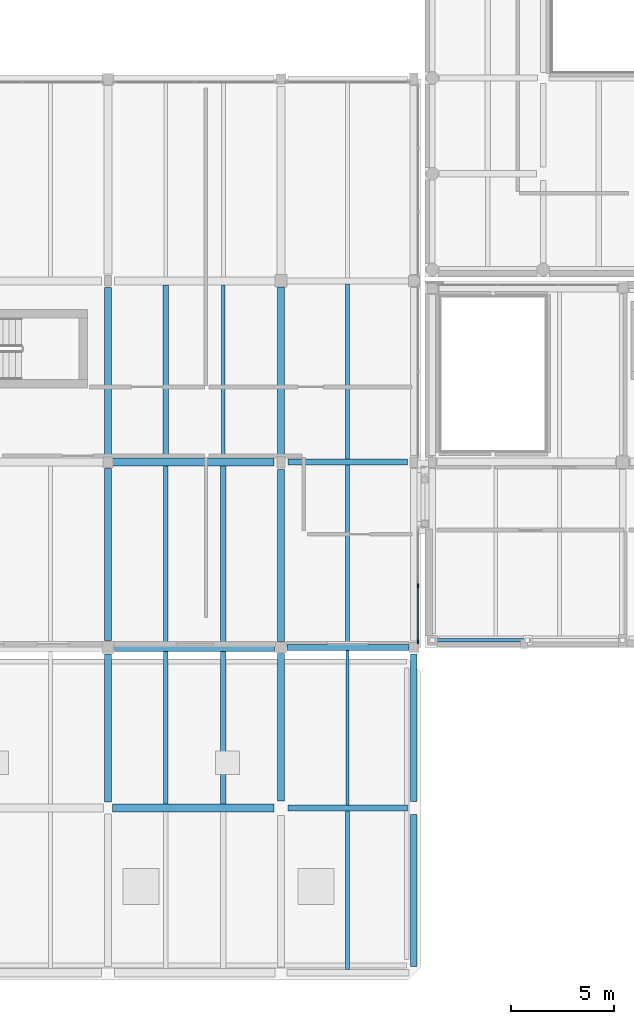
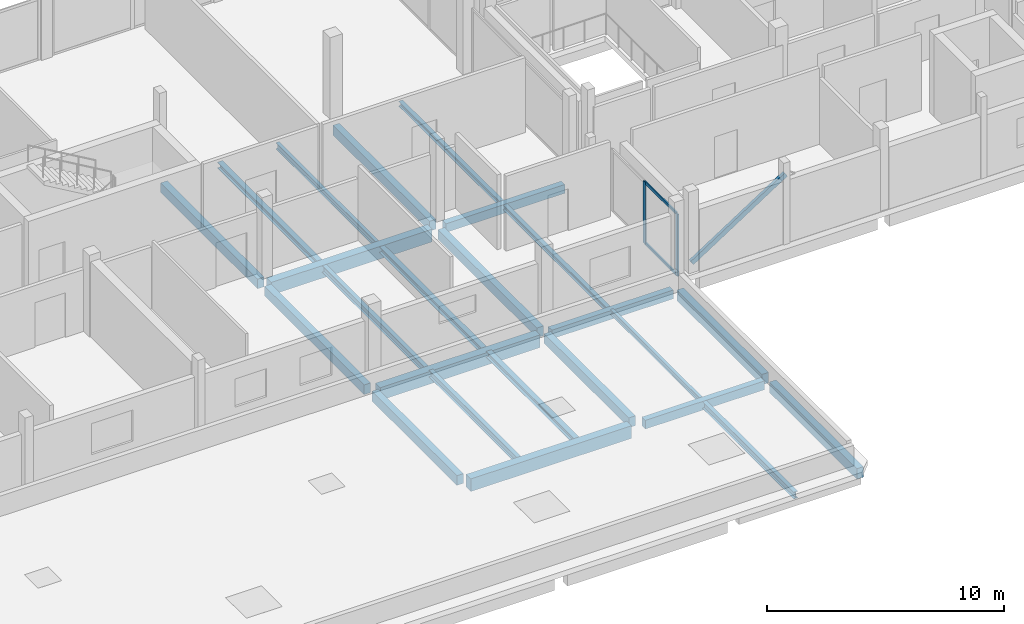
# One storey, part 6 of 66: 24 beams, 5 members, 1 element without a shape of its own.
"""IFC4 building model written with IfcOpenShell, lengths in metres."""

from ifc_helpers import new_model, si_unit, direction, frame, origin, origin_2d, place, context, subcontext, project, spatial, rectangle, hollow_rectangle, i_section, extrude, material, layer, layer_set, material_profile, profile_set, type_object, element, aggregate, save


model = new_model("IFC4")

# Units and contexts
model_context = context("Model", 3, precision=1e-05, world=origin(), true_north=direction((0.0, 1.0)))
body_context = subcontext(model_context, "Body", "Model", "MODEL_VIEW")
ifc_project = project(units=[si_unit("LENGTHUNIT", "METRE"), si_unit("AREAUNIT", "SQUARE_METRE"), si_unit("VOLUMEUNIT", "CUBIC_METRE"), si_unit("PLANEANGLEUNIT", "RADIAN"), si_unit("MASSUNIT", "GRAM", prefix="KILO")], contexts=[model_context])

# Site, building, storey
site_placement = place(None, origin())
site = spatial("IfcSite", under=ifc_project, at=site_placement, CompositionType="ELEMENT")
building_placement = place(site_placement, origin())
building = spatial("IfcBuilding", under=site, at=building_placement, Name="Birchvale Park Specialist Clinic", CompositionType="ELEMENT")
storey_placement = place(building_placement, frame((0.0, 0.0, 5.39990234375)))
storey = spatial("IfcBuildingStorey", under=building, at=storey_placement, Name="L01", CompositionType="ELEMENT", Elevation=5.39990234375)

# Beams
ifc_material_1 = material(Name="Concrete C40/50", Category="concrete")
ifc_material_profile_1 = material_profile(ifc_material_1, rectangle(XDim=0.320068359375, YDim=0.5400390625, at=origin_2d()), Name="RCB-320x540")
ifc_profile_set_1 = profile_set([ifc_material_profile_1], Name="Concrete C40/50")
beam_type_1 = type_object("IfcBeamType", Name="BM-EXT-BG7", PredefinedType="BEAM", material=ifc_profile_set_1)
beam_1_placement = place(storey_placement, frame((51.25, 1.31494140625, -0.544921875), z_axis=(0.0, 1.0, 0.0), x_axis=(-1.0, 0.0, 0.0)))
element("IfcBeam", 1, at=beam_1_placement, inside=storey, type_object=beam_type_1, Name="V2 L01 Y girder 66", PredefinedType="BEAM", context=body_context, shape_type="SweptSolid", body=[
    extrude(rectangle(XDim=0.320068359375, YDim=0.5400390625, at=origin_2d()), origin(), (0.0, 0.0, 1.0), 7.3701171875),
])
beam_2_placement = place(storey_placement, frame((51.25, 9.31494140625, -0.544921875), z_axis=(0.0, 1.0, 0.0), x_axis=(-1.0, 0.0, 0.0)))
element("IfcBeam", 2, at=beam_2_placement, inside=storey, type_object=beam_type_1, Name="V2 L01 Y girder 67", PredefinedType="BEAM", context=body_context, shape_type="SweptSolid", body=[
    extrude(rectangle(XDim=0.320068359375, YDim=0.5400390625, at=origin_2d()), origin(), (0.0, 0.0, 1.0), 7.170166015625),
])
ifc_material_profile_2 = material_profile(ifc_material_1, rectangle(XDim=0.39990234375, YDim=0.64990234375, at=origin_2d()), Name="RCB-400x650")
ifc_profile_set_2 = profile_set([ifc_material_profile_2], Name="Concrete C40/50")
beam_type_2 = type_object("IfcBeamType", Name="BM-INT-BG4", PredefinedType="BEAM", material=ifc_profile_set_2)
beam_3_placement = place(storey_placement, frame((36.625, 9.0, -0.599853515625), z_axis=(1.0, 0.0, 0.0), x_axis=(0.0, 1.0, 0.0)))
element("IfcBeam", 3, at=beam_3_placement, inside=storey, type_object=beam_type_2, Name="V2 L01 X girder 11", PredefinedType="BEAM", context=body_context, shape_type="SweptSolid", body=[
    extrude(rectangle(XDim=0.39990234375, YDim=0.64990234375, at=origin_2d()), origin(), (0.0, 0.0, 1.0), 7.824951171875),
])
beam_4_placement = place(storey_placement, frame((36.72509765625, 16.800048828125, -0.6748046875), z_axis=(1.0, 0.0, 0.0), x_axis=(0.0, 1.0, 0.0)))
element("IfcBeam", 4, at=beam_4_placement, inside=storey, type_object=beam_type_2, Name="V2 L01 X girder 17", PredefinedType="BEAM", context=body_context, shape_type="SweptSolid", body=[
    extrude(rectangle(XDim=0.39990234375, YDim=0.64990234375, at=origin_2d()), origin(), (0.0, 0.0, 1.0), 7.77490234375),
])
beam_5_placement = place(storey_placement, frame((36.625, 25.800048828125, -0.6748046875), z_axis=(1.0, 0.0, 0.0), x_axis=(0.0, 1.0, 0.0)))
element("IfcBeam", 5, at=beam_5_placement, inside=storey, type_object=beam_type_2, Name="V2 L01 X girder 23", PredefinedType="BEAM", context=body_context, shape_type="SweptSolid", body=[
    extrude(rectangle(XDim=0.39990234375, YDim=0.64990234375, at=origin_2d()), origin(), (0.0, 0.0, 1.0), 7.824951171875),
])
ifc_material_profile_3 = material_profile(ifc_material_1, rectangle(XDim=0.320068359375, YDim=0.5, at=origin_2d()), Name="RCB-320x500")
ifc_profile_set_3 = profile_set([ifc_material_profile_3], Name="Concrete C40/50")
beam_type_3 = type_object("IfcBeamType", Name="BM-INT-BG7", PredefinedType="BEAM", material=ifc_profile_set_3)
beam_6_placement = place(storey_placement, frame((36.39990234375, 9.300048828125, -0.52490234375), z_axis=(0.0, 1.0, 0.0), x_axis=(-1.0, 0.0, 0.0)))
element("IfcBeam", 6, at=beam_6_placement, inside=storey, type_object=beam_type_3, Name="V2 L01 Y girder 57", PredefinedType="BEAM", context=body_context, shape_type="SweptSolid", body=[
    extrude(rectangle(XDim=0.320068359375, YDim=0.5, at=origin_2d()), origin(), (0.0, 0.0, 1.0), 7.175048828125),
])
beam_7_placement = place(storey_placement, frame((36.39990234375, 17.125, -0.599853515625), z_axis=(0.0, 1.0, 0.0), x_axis=(-1.0, 0.0, 0.0)))
element("IfcBeam", 7, at=beam_7_placement, inside=storey, type_object=beam_type_3, Name="V2 L01 Y girder 58", PredefinedType="BEAM", context=body_context, shape_type="SweptSolid", body=[
    extrude(rectangle(XDim=0.320068359375, YDim=0.5, at=origin_2d()), origin(), (0.0, 0.0, 1.0), 8.375),
])
beam_8_placement = place(storey_placement, frame((36.39990234375, 26.10009765625, -0.599853515625), z_axis=(0.0, 1.0, 0.0), x_axis=(-1.0, 0.0, 0.0)))
element("IfcBeam", 8, at=beam_8_placement, inside=storey, type_object=beam_type_3, Name="V2 L01 Y girder 59", PredefinedType="BEAM", context=body_context, shape_type="SweptSolid", body=[
    extrude(rectangle(XDim=0.320068359375, YDim=0.5, at=origin_2d()), origin(), (0.0, 0.0, 1.0), 8.1748046875),
])
beam_9_placement = place(storey_placement, frame((44.800048828125, 9.35009765625, -0.52490234375), z_axis=(0.0, 1.0, 0.0), x_axis=(-1.0, 0.0, 0.0)))
element("IfcBeam", 9, at=beam_9_placement, inside=storey, type_object=beam_type_3, Name="V2 L01 Y girder 62", PredefinedType="BEAM", context=body_context, shape_type="SweptSolid", body=[
    extrude(rectangle(XDim=0.320068359375, YDim=0.5, at=origin_2d()), origin(), (0.0, 0.0, 1.0), 7.14990234375),
])
beam_10_placement = place(storey_placement, frame((44.800048828125, 17.10009765625, -0.599853515625), z_axis=(0.0, 1.0, 0.0), x_axis=(-1.0, 0.0, 0.0)))
element("IfcBeam", 10, at=beam_10_placement, inside=storey, type_object=beam_type_3, Name="V2 L01 Y girder 63", PredefinedType="BEAM", context=body_context, shape_type="SweptSolid", body=[
    extrude(rectangle(XDim=0.320068359375, YDim=0.5, at=origin_2d()), origin(), (0.0, 0.0, 1.0), 8.349853515625),
])
beam_11_placement = place(storey_placement, frame((44.800048828125, 26.14990234375, -0.599853515625), z_axis=(0.0, 1.0, 0.0), x_axis=(-1.0, 0.0, 0.0)))
element("IfcBeam", 11, at=beam_11_placement, inside=storey, type_object=beam_type_3, Name="V2 L01 Y girder 64", PredefinedType="BEAM", context=body_context, shape_type="SweptSolid", body=[
    extrude(rectangle(XDim=0.320068359375, YDim=0.5, at=origin_2d()), origin(), (0.0, 0.0, 1.0), 8.150146484375),
])
ifc_material_profile_4 = material_profile(ifc_material_1, rectangle(XDim=0.300048828125, YDim=0.449951171875, at=origin_2d()), Name="RCB-300x450")
ifc_profile_set_4 = profile_set([ifc_material_profile_4], Name="Concrete C40/50")
beam_type_4 = type_object("IfcBeamType", Name="BM-INT-BG8", PredefinedType="BEAM", material=ifc_profile_set_4)
beam_12_placement = place(storey_placement, frame((45.14990234375, 9.0, -0.5), z_axis=(1.0, 0.0, 0.0), x_axis=(0.0, 1.0, 0.0)))
element("IfcBeam", 12, at=beam_12_placement, inside=storey, type_object=beam_type_4, Name="V2 L01 X girder 12", PredefinedType="BEAM", context=body_context, shape_type="SweptSolid", body=[
    extrude(rectangle(XDim=0.300048828125, YDim=0.449951171875, at=origin_2d()), origin(), (0.0, 0.0, 1.0), 5.78515625),
])
beam_13_placement = place(storey_placement, frame((45.10009765625, 16.800048828125, -0.574951171875), z_axis=(1.0, 0.0, 0.0), x_axis=(0.0, 1.0, 0.0)))
element("IfcBeam", 13, at=beam_13_placement, inside=storey, type_object=beam_type_4, Name="V2 L01 X girder 18", PredefinedType="BEAM", context=body_context, shape_type="SweptSolid", body=[
    extrude(rectangle(XDim=0.300048828125, YDim=0.449951171875, at=origin_2d()), origin(), (0.0, 0.0, 1.0), 5.914794921875),
])
beam_14_placement = place(storey_placement, frame((45.14990234375, 25.800048828125, -0.574951171875), z_axis=(1.0, 0.0, 0.0), x_axis=(0.0, 1.0, 0.0)))
element("IfcBeam", 14, at=beam_14_placement, inside=storey, type_object=beam_type_4, Name="V2 L01 X girder 24", PredefinedType="BEAM", context=body_context, shape_type="SweptSolid", body=[
    extrude(rectangle(XDim=0.300048828125, YDim=0.449951171875, at=origin_2d()), origin(), (0.0, 0.0, 1.0), 5.78515625),
])

# Curtain wall, members
ifc_material_2 = material(Name="Thermally broken anodised aluminium", Category="aluminium")
ifc_layer = layer(ifc_material_2, 0.195068359375)
ifc_layer_set = layer_set([ifc_layer], Name="Thermally broken anodised aluminium")
curtain_wall_type = type_object("IfcCurtainWallType", Name="CW-U2", PredefinedType="USERDEFINED", material=ifc_layer_set)
curtain_wall_placement = place(storey_placement, origin())
curtain_wall = element("IfcCurtainWall", 15, at=curtain_wall_placement, inside=storey, type_object=curtain_wall_type, Name="V2 L01 glazed curtain wall 81", ObjectType="UNITISED", PredefinedType="USERDEFINED")
ifc_material_profile_5 = material_profile(ifc_material_2, rectangle(XDim=0.06494140625, YDim=0.179931640625, at=origin_2d()), Name="CWM-65x180")
ifc_profile_set_5 = profile_set([ifc_material_profile_5], Name="Thermally broken anodised aluminium")
member_type_1 = type_object("IfcMemberType", Name="CWM2", PredefinedType="MULLION", material=ifc_profile_set_5)
member_1_placement = place(storey_placement, frame((51.445068359375, 17.072509765625, 0.0), z_axis=(0.0, 0.0, 1.0), x_axis=(-1.0, 0.0, 0.0)))
member_1 = element("IfcMember", 16, at=member_1_placement, type_object=member_type_1, Name="CW mullion 1", PredefinedType="MULLION", context=body_context, shape_type="SweptSolid", body=[
    extrude(rectangle(XDim=0.06494140625, YDim=0.179931640625, at=origin_2d()), origin(), (0.0, 0.0, 1.0), 3.195068359375),
])
member_2_placement = place(storey_placement, frame((51.445068359375, 19.794921875, 0.0), z_axis=(0.0, 0.0, 1.0), x_axis=(-1.0, 0.0, 0.0)))
member_2 = element("IfcMember", 17, at=member_2_placement, type_object=member_type_1, Name="CW mullion 2", PredefinedType="MULLION", context=body_context, shape_type="SweptSolid", body=[
    extrude(rectangle(XDim=0.06494140625, YDim=0.179931640625, at=origin_2d()), origin(), (0.0, 0.0, 1.0), 3.195068359375),
])
ifc_material_profile_6 = material_profile(ifc_material_2, rectangle(XDim=0.06494140625, YDim=0.139892578125, at=origin_2d()), Name="CWT-65x140")
ifc_profile_set_6 = profile_set([ifc_material_profile_6], Name="Thermally broken anodised aluminium")
member_type_2 = type_object("IfcMemberType", Name="CWT2", PredefinedType="USERDEFINED", material=ifc_profile_set_6)
member_3_placement = place(storey_placement, frame((51.445068359375, 17.10498046875, 0.03271484375), z_axis=(0.0, 1.0, 0.0), x_axis=(-1.0, 0.0, 0.0)))
member_3 = element("IfcMember", 18, at=member_3_placement, type_object=member_type_2, Name="CW transom 1.1", ObjectType="TRANSOM", PredefinedType="USERDEFINED", context=body_context, shape_type="SweptSolid", body=[
    extrude(rectangle(XDim=0.06494140625, YDim=0.139892578125, at=origin_2d()), origin(), (0.0, 0.0, 1.0), 2.657470703125),
])
member_4_placement = place(storey_placement, frame((51.445068359375, 17.10498046875, 3.16259765625), z_axis=(0.0, 1.0, 0.0), x_axis=(-1.0, 0.0, 0.0)))
member_4 = element("IfcMember", 19, at=member_4_placement, type_object=member_type_2, Name="CW transom 1.2", ObjectType="TRANSOM", PredefinedType="USERDEFINED", context=body_context, shape_type="SweptSolid", body=[
    extrude(rectangle(XDim=0.06494140625, YDim=0.139892578125, at=origin_2d()), origin(), (0.0, 0.0, 1.0), 2.657470703125),
])
aggregate(curtain_wall, [member_1, member_2, member_3, member_4])

# Member
ifc_material_3 = material(Name="Steel ASTM A500 Grade C", Category="steel")
ifc_material_profile_7 = material_profile(ifc_material_3, hollow_rectangle(XDim=0.14990234375, YDim=0.25, WallThickness=0.010009765625, at=origin_2d()), Name="HSS150X250X10")
ifc_profile_set_7 = profile_set([ifc_material_profile_7], Name="Steel ASTM A500 Grade C")
member_type_3 = type_object("IfcMemberType", Name="MEM-BR7", PredefinedType="BRACE", material=ifc_profile_set_7)
member_5_placement = place(storey_placement, frame((52.17529296875, 17.14990234375, 0.366455078125), z_axis=(0.839793749103, 0.0, 0.54290557095), x_axis=(0.0, 1.0, 0.0)))
element("IfcMember", 20, at=member_5_placement, inside=storey, type_object=member_type_3, Name="V4 L01 chevron steel brace 3.1", PredefinedType="BRACE", context=body_context, shape_type="SweptSolid", body=[
    extrude(hollow_rectangle(XDim=0.14990234375, YDim=0.25, WallThickness=0.010009765625, at=origin_2d()), origin(), (0.0, 0.0, 1.0), 5.447021484375),
])

# Beams
ifc_material_4 = material(Name="Steel ASTM A992 Grade 50", Category="steel")
ifc_material_profile_8 = material_profile(ifc_material_4, i_section(OverallWidth=0.2041015625, OverallDepth=0.35107421875, WebThickness=0.008544921875, FlangeThickness=0.01513671875, at=origin_2d()), Name="W14X48")
ifc_profile_set_8 = profile_set([ifc_material_profile_8], Name="Steel ASTM A992 Grade 50")
beam_type_5 = type_object("IfcBeamType", Name="STL-INT-SJ1", PredefinedType="JOIST", material=ifc_profile_set_8)
beam_15_placement = place(storey_placement, frame((39.199951171875, 9.199951171875, -0.450439453125), z_axis=(0.0, 1.0, 0.0), x_axis=(-1.0, 0.0, 0.0)))
element("IfcBeam", 21, at=beam_15_placement, inside=storey, type_object=beam_type_5, Name="V2 L01 secondary floor joist 37", PredefinedType="JOIST", context=body_context, shape_type="SweptSolid", body=[
    extrude(i_section(OverallWidth=0.2041015625, OverallDepth=0.35107421875, WebThickness=0.008544921875, FlangeThickness=0.01513671875, at=origin_2d()), origin(), (0.0, 0.0, 1.0), 7.400146484375),
])
beam_16_placement = place(storey_placement, frame((39.199951171875, 17.0, -0.525390625), z_axis=(0.0, 1.0, 0.0), x_axis=(-1.0, 0.0, 0.0)))
element("IfcBeam", 22, at=beam_16_placement, inside=storey, type_object=beam_type_5, Name="V2 L01 secondary floor joist 39", PredefinedType="JOIST", context=body_context, shape_type="SweptSolid", body=[
    extrude(i_section(OverallWidth=0.2041015625, OverallDepth=0.35107421875, WebThickness=0.008544921875, FlangeThickness=0.01513671875, at=origin_2d()), origin(), (0.0, 0.0, 1.0), 8.60009765625),
])
beam_17_placement = place(storey_placement, frame((48.02490234375, 1.14990234375, -0.450439453125), z_axis=(0.0, 1.0, 0.0), x_axis=(-1.0, 0.0, 0.0)))
element("IfcBeam", 23, at=beam_17_placement, inside=storey, type_object=beam_type_5, Name="V2 L01 secondary floor joist 45", PredefinedType="JOIST", context=body_context, shape_type="SweptSolid", body=[
    extrude(i_section(OverallWidth=0.2041015625, OverallDepth=0.35107421875, WebThickness=0.008544921875, FlangeThickness=0.01513671875, at=origin_2d()), origin(), (0.0, 0.0, 1.0), 7.7001953125),
])
ifc_material_profile_9 = material_profile(ifc_material_4, i_section(OverallWidth=0.25390625, OverallDepth=0.305908203125, WebThickness=0.0087890625, FlangeThickness=0.0146484375, at=origin_2d()), Name="W12X53")
ifc_profile_set_9 = profile_set([ifc_material_profile_9], Name="Steel ASTM A992 Grade 50")
beam_type_6 = type_object("IfcBeamType", Name="STL-INT-SJ2", PredefinedType="JOIST", material=ifc_profile_set_9)
beam_18_placement = place(storey_placement, frame((42.0, 9.199951171875, -0.427978515625), z_axis=(0.0, 1.0, 0.0), x_axis=(-1.0, 0.0, 0.0)))
element("IfcBeam", 24, at=beam_18_placement, inside=storey, type_object=beam_type_6, Name="V2 L01 secondary floor joist 38", PredefinedType="JOIST", context=body_context, shape_type="SweptSolid", body=[
    extrude(i_section(OverallWidth=0.25390625, OverallDepth=0.305908203125, WebThickness=0.0087890625, FlangeThickness=0.0146484375, at=origin_2d()), origin(), (0.0, 0.0, 1.0), 7.400146484375),
])
beam_19_placement = place(storey_placement, frame((42.0, 17.0, -0.5029296875), z_axis=(0.0, 1.0, 0.0), x_axis=(-1.0, 0.0, 0.0)))
element("IfcBeam", 25, at=beam_19_placement, inside=storey, type_object=beam_type_6, Name="V2 L01 secondary floor joist 40", PredefinedType="JOIST", context=body_context, shape_type="SweptSolid", body=[
    extrude(i_section(OverallWidth=0.25390625, OverallDepth=0.305908203125, WebThickness=0.0087890625, FlangeThickness=0.0146484375, at=origin_2d()), origin(), (0.0, 0.0, 1.0), 8.60009765625),
])
beam_20_placement = place(storey_placement, frame((39.199951171875, 26.0, -0.5029296875), z_axis=(0.0, 1.0, 0.0), x_axis=(-1.0, 0.0, 0.0)))
element("IfcBeam", 26, at=beam_20_placement, inside=storey, type_object=beam_type_6, Name="V2 L01 secondary floor joist 41", PredefinedType="JOIST", context=body_context, shape_type="SweptSolid", body=[
    extrude(i_section(OverallWidth=0.25390625, OverallDepth=0.305908203125, WebThickness=0.0087890625, FlangeThickness=0.0146484375, at=origin_2d()), origin(), (0.0, 0.0, 1.0), 8.39990234375),
])
ifc_material_profile_10 = material_profile(ifc_material_4, i_section(OverallWidth=0.1669921875, OverallDepth=0.31689453125, WebThickness=0.007568359375, FlangeThickness=0.01318359375, at=origin_2d()), Name="W12X35")
ifc_profile_set_10 = profile_set([ifc_material_profile_10], Name="Steel ASTM A992 Grade 50")
beam_type_7 = type_object("IfcBeamType", Name="STL-INT-SJ3", PredefinedType="JOIST", material=ifc_profile_set_10)
beam_21_placement = place(storey_placement, frame((42.0, 26.0, -0.50830078125), z_axis=(0.0, 1.0, 0.0), x_axis=(-1.0, 0.0, 0.0)))
element("IfcBeam", 27, at=beam_21_placement, inside=storey, type_object=beam_type_7, Name="V2 L01 secondary floor joist 42", PredefinedType="JOIST", context=body_context, shape_type="SweptSolid", body=[
    extrude(i_section(OverallWidth=0.1669921875, OverallDepth=0.31689453125, WebThickness=0.007568359375, FlangeThickness=0.01318359375, at=origin_2d()), origin(), (0.0, 0.0, 1.0), 8.39990234375),
])
ifc_material_profile_11 = material_profile(ifc_material_4, i_section(OverallWidth=0.202880859375, OverallDepth=0.251953125, WebThickness=0.008056640625, FlangeThickness=0.013427734375, at=origin_2d()), Name="W10X39")
ifc_profile_set_11 = profile_set([ifc_material_profile_11], Name="Steel ASTM A992 Grade 50")
beam_type_8 = type_object("IfcBeamType", Name="STL-INT-SJ4", PredefinedType="JOIST", material=ifc_profile_set_11)
beam_22_placement = place(storey_placement, frame((48.02490234375, 16.949951171875, -0.475830078125), z_axis=(0.0, 1.0, 0.0), x_axis=(-1.0, 0.0, 0.0)))
element("IfcBeam", 28, at=beam_22_placement, inside=storey, type_object=beam_type_8, Name="V2 L01 secondary floor joist 47", PredefinedType="JOIST", context=body_context, shape_type="SweptSolid", body=[
    extrude(i_section(OverallWidth=0.202880859375, OverallDepth=0.251953125, WebThickness=0.008056640625, FlangeThickness=0.013427734375, at=origin_2d()), origin(), (0.0, 0.0, 1.0), 8.699951171875),
])
beam_23_placement = place(storey_placement, frame((48.02490234375, 25.949951171875, -0.475830078125), z_axis=(0.0, 1.0, 0.0), x_axis=(-1.0, 0.0, 0.0)))
element("IfcBeam", 29, at=beam_23_placement, inside=storey, type_object=beam_type_8, Name="V2 L01 secondary floor joist 48", PredefinedType="JOIST", context=body_context, shape_type="SweptSolid", body=[
    extrude(i_section(OverallWidth=0.202880859375, OverallDepth=0.251953125, WebThickness=0.008056640625, FlangeThickness=0.013427734375, at=origin_2d()), origin(), (0.0, 0.0, 1.0), 8.5),
])
ifc_material_profile_12 = material_profile(ifc_material_4, i_section(OverallWidth=0.14697265625, OverallDepth=0.261962890625, WebThickness=0.006591796875, FlangeThickness=0.01123046875, at=origin_2d()), Name="W10X26")
ifc_profile_set_12 = profile_set([ifc_material_profile_12], Name="Steel ASTM A992 Grade 50")
beam_type_9 = type_object("IfcBeamType", Name="STL-INT-SJ5", PredefinedType="JOIST", material=ifc_profile_set_12)
beam_24_placement = place(storey_placement, frame((48.02490234375, 9.14990234375, -0.406005859375), z_axis=(0.0, 1.0, 0.0), x_axis=(-1.0, 0.0, 0.0)))
element("IfcBeam", 30, at=beam_24_placement, inside=storey, type_object=beam_type_9, Name="V2 L01 secondary floor joist 46", PredefinedType="JOIST", context=body_context, shape_type="SweptSolid", body=[
    extrude(i_section(OverallWidth=0.14697265625, OverallDepth=0.261962890625, WebThickness=0.006591796875, FlangeThickness=0.01123046875, at=origin_2d()), origin(), (0.0, 0.0, 1.0), 7.5),
])

save(model, "model.ifc")
